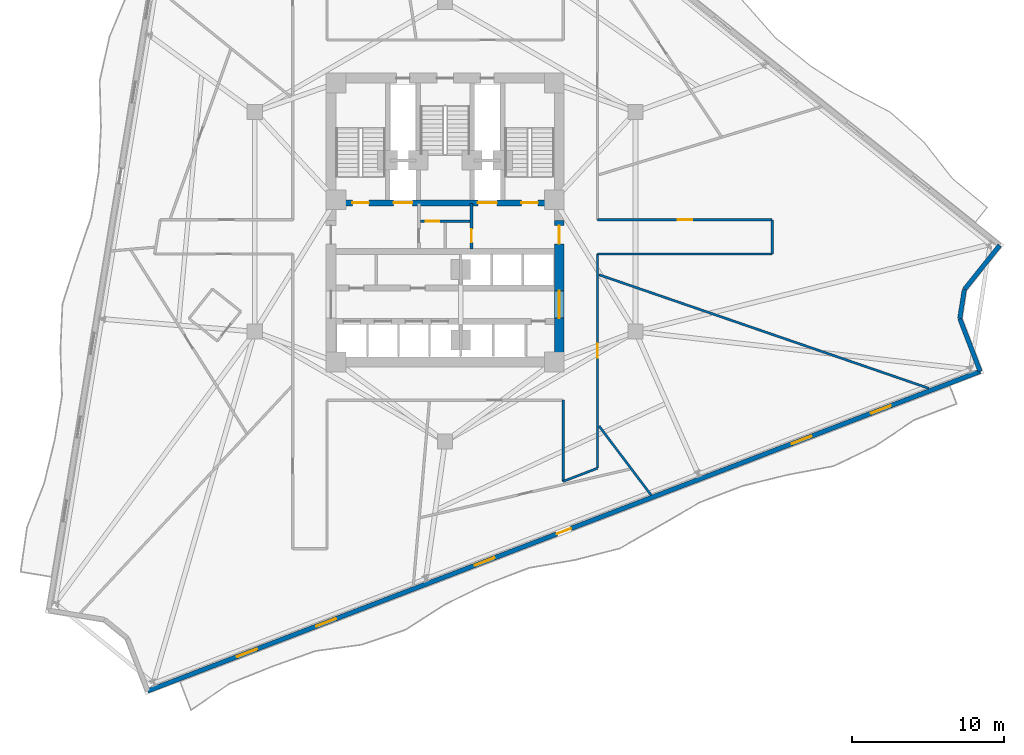
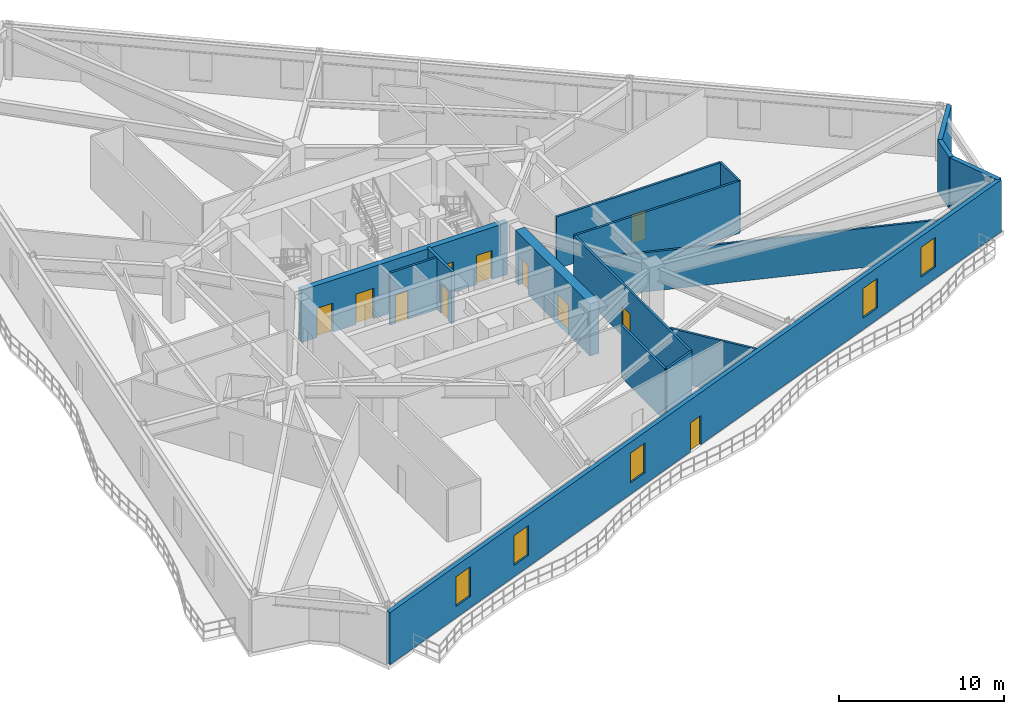
# One storey, part 5 of 11: 16 walls, 11 doors, 5 windows, 16 openings.
"""IFC4 building model written with IfcOpenShell, lengths in metres."""

from ifc_helpers import new_model, si_unit, direction, frame, frame_2d, origin, place, context, subcontext, project, spatial, rectangle, extrude, material, layer, layer_set, type_object, element, fill, save


model = new_model("IFC4")

# Units and contexts
model_context = context("Model", 3, precision=1e-05, world=origin(), true_north=direction((0.0, 1.0)))
body_context = subcontext(model_context, "Body", "Model", "MODEL_VIEW")
ifc_project = project(units=[si_unit("LENGTHUNIT", "METRE"), si_unit("AREAUNIT", "SQUARE_METRE"), si_unit("VOLUMEUNIT", "CUBIC_METRE"), si_unit("PLANEANGLEUNIT", "RADIAN"), si_unit("MASSUNIT", "GRAM", prefix="KILO")], contexts=[model_context])

# Site, building, storey
site_placement = place(None, origin())
site = spatial("IfcSite", under=ifc_project, at=site_placement, CompositionType="ELEMENT")
building_placement = place(site_placement, origin())
building = spatial("IfcBuilding", under=site, at=building_placement, Name="Apsidion Concourse Tower", CompositionType="ELEMENT")
storey_placement = place(building_placement, frame((0.0, 0.0, 140.39990234375)))
storey = spatial("IfcBuildingStorey", under=building, at=storey_placement, Name="L32", CompositionType="ELEMENT", Elevation=140.39990234375)

# Walls
ifc_material_1 = material(Name="Precast concrete C40/50", Category="concrete")
ifc_layer_1 = layer(ifc_material_1, 0.300048828125)
ifc_layer_set_1 = layer_set([ifc_layer_1], Name="Precast concrete C40/50")
wall_type_1 = type_object("IfcWallType", Name="WL-EXT-300", PredefinedType="STANDARD", material=ifc_layer_set_1)
wall_1_placement = place(storey_placement, frame((36.58984375, -1.556640625, 0.0), z_axis=(0.0, 0.0, 1.0), x_axis=(-0.62493402561, -0.780677567012, 0.0)))
element("IfcWall", 1, at=wall_1_placement, inside=storey, type_object=wall_type_1, Name="L32 Precast Stone Facade Wall 02", PredefinedType="STANDARD", context=body_context, shape_type="SweptSolid", body=[
    extrude(rectangle(XDim=3.737060546875, YDim=0.300048828125, at=frame_2d((1.86865234375, 0.0))), origin(), (0.0, 0.0, 1.0), 3.85009765625),
])
wall_2_placement = place(storey_placement, frame((34.25439453125, -4.47412109375, 0.0), z_axis=(0.0, 0.0, 1.0), x_axis=(-0.153717968475, -0.988114763663, 0.0)))
element("IfcWall", 2, at=wall_2_placement, inside=storey, type_object=wall_type_1, Name="L32 Precast Stone Facade Wall 03", PredefinedType="STANDARD", context=body_context, shape_type="SweptSolid", body=[
    extrude(rectangle(XDim=1.932861328125, YDim=0.300048828125, at=frame_2d((0.96630859375, 0.0))), origin(), (0.0, 0.0, 1.0), 3.85009765625),
])
wall_3_placement = place(storey_placement, frame((33.957275390625, -6.384033203125, 0.0), z_axis=(0.0, 0.0, 1.0), x_axis=(0.358344201462, -0.933589542186, 0.0)))
element("IfcWall", 3, at=wall_3_placement, inside=storey, type_object=wall_type_1, Name="L32 Precast Stone Facade Wall 04", PredefinedType="STANDARD", context=body_context, shape_type="SweptSolid", body=[
    extrude(rectangle(XDim=3.737060546875, YDim=0.300048828125, at=frame_2d((1.86865234375, 0.0))), origin(), (0.0, 0.0, 1.0), 3.85009765625),
])

# Wall, openings, door, windows
wall_4_placement = place(storey_placement, frame((35.29638671875, -9.872802734375, 0.0), z_axis=(0.0, 0.0, 1.0), x_axis=(-0.933580612554, -0.35836746485, 0.0)))
wall_4 = element("IfcWall", 4, at=wall_4_placement, inside=storey, type_object=wall_type_1, Name="L32 Precast Stone Facade Wall 05", PredefinedType="STANDARD", context=body_context, shape_type="SweptSolid", body=[
    extrude(rectangle(XDim=58.827880859375, YDim=0.300048828125, at=frame_2d((29.4140625, 0.0))), origin(), (0.0, 0.0, 1.0), 3.85009765625),
])
opening_1_placement = place(wall_4_placement, frame((28.9140625, 0.0, 0.0)))
opening_1 = element("IfcOpeningElement", 5, at=opening_1_placement, cuts=wall_4, Name="Opening D-T1R", PredefinedType="OPENING", context=body_context, shape_type="SweptSolid", body=[
    extrude(rectangle(XDim=1.0, YDim=2.14990234375, at=frame_2d((0.5, 1.074951171875))), frame((0.0, 0.16015625, 0.0), z_axis=(0.0, -1.0, 0.0), x_axis=(1.0, 0.0, 0.0)), (0.0, 0.0, 1.0), 0.320068359375),
])
opening_2_placement = place(wall_4_placement, frame((6.31396484375, 0.0, 0.85009765625)))
opening_2 = element("IfcOpeningElement", 6, at=opening_2_placement, cuts=wall_4, Name="Opening WN-05", PredefinedType="OPENING", context=body_context, shape_type="SweptSolid", body=[
    extrude(rectangle(XDim=1.39990234375, YDim=2.199951171875, at=frame_2d((0.699951171875, 1.10009765625))), frame((0.0, 0.16015625, 0.0), z_axis=(0.0, -1.0, 0.0), x_axis=(1.0, 0.0, 0.0)), (0.0, 0.0, 1.0), 0.320068359375),
])
opening_3_placement = place(wall_4_placement, frame((11.9140625, 0.0, 0.85009765625)))
opening_3 = element("IfcOpeningElement", 7, at=opening_3_placement, cuts=wall_4, Name="Opening WN-05", PredefinedType="OPENING", context=body_context, shape_type="SweptSolid", body=[
    extrude(rectangle(XDim=1.39990234375, YDim=2.199951171875, at=frame_2d((0.699951171875, 1.10009765625))), frame((0.0, 0.16015625, 0.0), z_axis=(0.0, -1.0, 0.0), x_axis=(1.0, 0.0, 0.0)), (0.0, 0.0, 1.0), 0.320068359375),
])
opening_4_placement = place(wall_4_placement, frame((34.31396484375, 0.0, 0.85009765625)))
opening_4 = element("IfcOpeningElement", 8, at=opening_4_placement, cuts=wall_4, Name="Opening WN-05", PredefinedType="OPENING", context=body_context, shape_type="SweptSolid", body=[
    extrude(rectangle(XDim=1.39990234375, YDim=2.199951171875, at=frame_2d((0.699951171875, 1.10009765625))), frame((0.0, 0.16015625, 0.0), z_axis=(0.0, -1.0, 0.0), x_axis=(1.0, 0.0, 0.0)), (0.0, 0.0, 1.0), 0.320068359375),
])
opening_5_placement = place(wall_4_placement, frame((45.513916015625, 0.0, 0.85009765625)))
opening_5 = element("IfcOpeningElement", 9, at=opening_5_placement, cuts=wall_4, Name="Opening WN-05", PredefinedType="OPENING", context=body_context, shape_type="SweptSolid", body=[
    extrude(rectangle(XDim=1.39990234375, YDim=2.199951171875, at=frame_2d((0.699951171875, 1.10009765625))), frame((0.0, 0.16015625, 0.0), z_axis=(0.0, -1.0, 0.0), x_axis=(1.0, 0.0, 0.0)), (0.0, 0.0, 1.0), 0.320068359375),
])
opening_6_placement = place(wall_4_placement, frame((51.114013671875, 0.0, 0.85009765625)))
opening_6 = element("IfcOpeningElement", 10, at=opening_6_placement, cuts=wall_4, Name="Opening WN-05", PredefinedType="OPENING", context=body_context, shape_type="SweptSolid", body=[
    extrude(rectangle(XDim=1.39990234375, YDim=2.199951171875, at=frame_2d((0.699951171875, 1.10009765625))), frame((0.0, 0.16015625, 0.0), z_axis=(0.0, -1.0, 0.0), x_axis=(1.0, 0.0, 0.0)), (0.0, 0.0, 1.0), 0.320068359375),
])
ifc_material_2 = material(Name="Anodised aluminium EN AW-6063 T6", Category="aluminium")
door_type_1 = type_object("IfcDoorType", Name="DR-TER-1022R", OperationType="SINGLE_SWING_RIGHT", PredefinedType="DOOR", material=ifc_material_2)
door_1_placement = place(opening_1_placement, origin())
door_1 = element("IfcDoor", 11, at=door_1_placement, inside=storey, type_object=door_type_1, Name="L32 Balcony Access Door 2", OperationType="SINGLE_SWING_RIGHT", OverallHeight=2.14990234375, OverallWidth=1.0, PredefinedType="DOOR", context=body_context, shape_type="SweptSolid", body=[
    extrude(rectangle(XDim=1.0, YDim=2.14990234375, at=frame_2d((0.5, 1.074951171875))), frame((0.0, 0.02490234375, 0.0), z_axis=(0.0, -1.0, 0.0), x_axis=(1.0, 0.0, 0.0)), (0.0, 0.0, 1.0), 0.050048828125),
])
fill(opening_1, door_1)
ifc_material_3 = material(Name="Insulated laminated low-E glass", Category="glass")
window_type = type_object("IfcWindowType", Name="WN-OFF-1424", PartitioningType="SINGLE_PANEL", PredefinedType="WINDOW", material=ifc_material_3)
window_1_placement = place(opening_2_placement, origin())
window_1 = element("IfcWindow", 12, at=window_1_placement, inside=storey, type_object=window_type, Name="L32 Punched Facade Window 5-01", OverallHeight=2.199951171875, OverallWidth=1.39990234375, PartitioningType="SINGLE_PANEL", PredefinedType="WINDOW", context=body_context, shape_type="SweptSolid", body=[
    extrude(rectangle(XDim=1.39990234375, YDim=2.199951171875, at=frame_2d((0.699951171875, 1.10009765625))), frame((0.0, 0.030029296875, 0.0), z_axis=(0.0, -1.0, 0.0), x_axis=(1.0, 0.0, 0.0)), (0.0, 0.0, 1.0), 0.06005859375),
])
fill(opening_2, window_1)
window_2_placement = place(opening_3_placement, origin())
window_2 = element("IfcWindow", 13, at=window_2_placement, inside=storey, type_object=window_type, Name="L32 Punched Facade Window 5-02", OverallHeight=2.199951171875, OverallWidth=1.39990234375, PartitioningType="SINGLE_PANEL", PredefinedType="WINDOW", context=body_context, shape_type="SweptSolid", body=[
    extrude(rectangle(XDim=1.39990234375, YDim=2.199951171875, at=frame_2d((0.699951171875, 1.10009765625))), frame((0.0, 0.030029296875, 0.0), z_axis=(0.0, -1.0, 0.0), x_axis=(1.0, 0.0, 0.0)), (0.0, 0.0, 1.0), 0.06005859375),
])
fill(opening_3, window_2)
window_3_placement = place(opening_4_placement, origin())
window_3 = element("IfcWindow", 14, at=window_3_placement, inside=storey, type_object=window_type, Name="L32 Punched Facade Window 5-06", OverallHeight=2.199951171875, OverallWidth=1.39990234375, PartitioningType="SINGLE_PANEL", PredefinedType="WINDOW", context=body_context, shape_type="SweptSolid", body=[
    extrude(rectangle(XDim=1.39990234375, YDim=2.199951171875, at=frame_2d((0.699951171875, 1.10009765625))), frame((0.0, 0.030029296875, 0.0), z_axis=(0.0, -1.0, 0.0), x_axis=(1.0, 0.0, 0.0)), (0.0, 0.0, 1.0), 0.06005859375),
])
fill(opening_4, window_3)
window_4_placement = place(opening_5_placement, origin())
window_4 = element("IfcWindow", 15, at=window_4_placement, inside=storey, type_object=window_type, Name="L32 Punched Facade Window 5-08", OverallHeight=2.199951171875, OverallWidth=1.39990234375, PartitioningType="SINGLE_PANEL", PredefinedType="WINDOW", context=body_context, shape_type="SweptSolid", body=[
    extrude(rectangle(XDim=1.39990234375, YDim=2.199951171875, at=frame_2d((0.699951171875, 1.10009765625))), frame((0.0, 0.030029296875, 0.0), z_axis=(0.0, -1.0, 0.0), x_axis=(1.0, 0.0, 0.0)), (0.0, 0.0, 1.0), 0.06005859375),
])
fill(opening_5, window_4)
window_5_placement = place(opening_6_placement, origin())
window_5 = element("IfcWindow", 16, at=window_5_placement, inside=storey, type_object=window_type, Name="L32 Punched Facade Window 5-09", OverallHeight=2.199951171875, OverallWidth=1.39990234375, PartitioningType="SINGLE_PANEL", PredefinedType="WINDOW", context=body_context, shape_type="SweptSolid", body=[
    extrude(rectangle(XDim=1.39990234375, YDim=2.199951171875, at=frame_2d((0.699951171875, 1.10009765625))), frame((0.0, 0.030029296875, 0.0), z_axis=(0.0, -1.0, 0.0), x_axis=(1.0, 0.0, 0.0)), (0.0, 0.0, 1.0), 0.06005859375),
])
fill(opening_6, window_5)

# Wall, opening, door
ifc_material_4 = material(Name="Gypsum plasterboard partition")
ifc_layer_2 = layer(ifc_material_4, 0.14990234375)
ifc_layer_set_2 = layer_set([ifc_layer_2], Name="Gypsum plasterboard partition")
wall_type_2 = type_object("IfcWallType", Name="WL-INT-PAR-150", PredefinedType="PARTITIONING", material=ifc_layer_set_2)
wall_5_placement = place(storey_placement, frame((-1.639892578125, 0.0400390625, 0.0), z_axis=(0.0, 0.0, 1.0), x_axis=(1.0, 0.0, 0.0)))
wall_5 = element("IfcWall", 17, at=wall_5_placement, inside=storey, type_object=wall_type_2, Name="L32 Interior Partition WL-L32-K4H", PredefinedType="PARTITIONING", context=body_context, shape_type="SweptSolid", body=[
    extrude(rectangle(XDim=3.27978515625, YDim=0.14990234375, at=frame_2d((1.639892578125, 0.0))), origin(), (0.0, 0.0, 1.0), 3.85009765625),
])
opening_7_placement = place(wall_5_placement, frame((0.360107421875, 0.0, 0.0)))
opening_7 = element("IfcOpeningElement", 18, at=opening_7_placement, cuts=wall_5, Name="Opening D-03L", PredefinedType="OPENING", context=body_context, shape_type="SweptSolid", body=[
    extrude(rectangle(XDim=0.8798828125, YDim=2.10009765625, at=frame_2d((0.43994140625, 1.050048828125))), frame((0.0, 0.0849609375, 0.0), z_axis=(0.0, -1.0, 0.0), x_axis=(1.0, 0.0, 0.0)), (0.0, 0.0, 1.0), 0.169921875),
])
door_type_2 = type_object("IfcDoorType", Name="DR-INT-D03L", OperationType="SINGLE_SWING_LEFT", PredefinedType="DOOR", material=ifc_material_2)
door_2_placement = place(opening_7_placement, origin())
door_2 = element("IfcDoor", 19, at=door_2_placement, inside=storey, type_object=door_type_2, Name="L32 Core Telecoms Door", OperationType="SINGLE_SWING_LEFT", OverallHeight=2.10009765625, OverallWidth=0.8798828125, PredefinedType="DOOR", context=body_context, shape_type="SweptSolid", body=[
    extrude(rectangle(XDim=0.8798828125, YDim=2.10009765625, at=frame_2d((0.43994140625, 1.050048828125))), frame((0.0, 0.02490234375, 0.0), z_axis=(0.0, -1.0, 0.0), x_axis=(1.0, 0.0, 0.0)), (0.0, 0.0, 1.0), 0.050048828125),
])
fill(opening_7, door_2)

# Walls
wall_6_placement = place(storey_placement, frame((10.050048828125, -16.259521484375, 0.0), z_axis=(0.0, 0.0, 1.0), x_axis=(-0.933561171802, -0.358418105713, 0.0)))
element("IfcWall", 20, at=wall_6_placement, inside=storey, type_object=wall_type_2, Name="L32 Interior Partition WL-L32-CORR-01", PredefinedType="PARTITIONING", context=body_context, shape_type="SweptSolid", body=[
    extrude(rectangle(XDim=2.4208984375, YDim=0.14990234375, at=frame_2d((1.21044921875, 0.0))), origin(), (0.0, 0.0, 1.0), 3.85009765625),
])
wall_7_placement = place(storey_placement, frame((7.7900390625, -17.127197265625, 0.0), z_axis=(0.0, 0.0, 1.0), x_axis=(0.0, 1.0, 0.0)))
element("IfcWall", 21, at=wall_7_placement, inside=storey, type_object=wall_type_2, Name="L32 Interior Partition WL-L32-CORR-02", PredefinedType="PARTITIONING", context=body_context, shape_type="SweptSolid", body=[
    extrude(rectangle(XDim=5.352294921875, YDim=0.14990234375, at=frame_2d((2.67626953125, 0.0))), origin(), (0.0, 0.0, 1.0), 3.85009765625),
])

# Wall, opening, door
wall_8_placement = place(storey_placement, frame((10.050048828125, 0.1298828125, 0.0), z_axis=(0.0, 0.0, 1.0), x_axis=(1.0, 0.0, 0.0)))
wall_8 = element("IfcWall", 22, at=wall_8_placement, inside=storey, type_object=wall_type_2, Name="L32 Interior Partition WL-L32-CORR-17", PredefinedType="PARTITIONING", context=body_context, shape_type="SweptSolid", body=[
    extrude(rectangle(XDim=11.530029296875, YDim=0.14990234375, at=frame_2d((5.76513671875, 0.0))), origin(), (0.0, 0.0, 1.0), 3.85009765625),
])
opening_8_placement = place(wall_8_placement, frame((5.2900390625, 0.0, 0.0)))
opening_8 = element("IfcOpeningElement", 23, at=opening_8_placement, cuts=wall_8, Name="Opening D-01L", PredefinedType="OPENING", context=body_context, shape_type="SweptSolid", body=[
    extrude(rectangle(XDim=0.949951171875, YDim=2.14990234375, at=frame_2d((0.47509765625, 1.074951171875))), frame((0.0, 0.0849609375, 0.0), z_axis=(0.0, -1.0, 0.0), x_axis=(1.0, 0.0, 0.0)), (0.0, 0.0, 1.0), 0.169921875),
])
ifc_material_5 = material(Name="Brushed stainless steel 316", Category="steel")
door_type_3 = type_object("IfcDoorType", Name="DR-INT-D01L", OperationType="SINGLE_SWING_LEFT", PredefinedType="DOOR", material=ifc_material_5)
door_3_placement = place(opening_8_placement, origin())
door_3 = element("IfcDoor", 24, at=door_3_placement, inside=storey, type_object=door_type_3, Name="L32 Corridor Entry Door 05", OperationType="SINGLE_SWING_LEFT", OverallHeight=2.14990234375, OverallWidth=0.949951171875, PredefinedType="DOOR", context=body_context, shape_type="SweptSolid", body=[
    extrude(rectangle(XDim=0.949951171875, YDim=2.14990234375, at=frame_2d((0.47509765625, 1.074951171875))), frame((0.0, 0.02490234375, 0.0), z_axis=(0.0, -1.0, 0.0), x_axis=(1.0, 0.0, 0.0)), (0.0, 0.0, 1.0), 0.050048828125),
])
fill(opening_8, door_3)

# Walls
wall_9_placement = place(storey_placement, frame((21.580078125, 0.1298828125, 0.0), z_axis=(0.0, 0.0, 1.0), x_axis=(0.0, -1.0, 0.0)))
element("IfcWall", 25, at=wall_9_placement, inside=storey, type_object=wall_type_2, Name="L32 Interior Partition WL-L32-CORR-18", PredefinedType="PARTITIONING", context=body_context, shape_type="SweptSolid", body=[
    extrude(rectangle(XDim=2.259765625, YDim=0.14990234375, at=frame_2d((1.1298828125, 0.0))), origin(), (0.0, 0.0, 1.0), 3.85009765625),
])
wall_10_placement = place(storey_placement, frame((21.580078125, -2.1298828125, 0.0), z_axis=(0.0, 0.0, 1.0), x_axis=(-1.0, 0.0, 0.0)))
element("IfcWall", 26, at=wall_10_placement, inside=storey, type_object=wall_type_2, Name="L32 Interior Partition WL-L32-CORR-19", PredefinedType="PARTITIONING", context=body_context, shape_type="SweptSolid", body=[
    extrude(rectangle(XDim=11.530029296875, YDim=0.14990234375, at=frame_2d((5.76513671875, 0.0))), origin(), (0.0, 0.0, 1.0), 3.85009765625),
])

# Wall, opening, door
wall_11_placement = place(storey_placement, frame((10.050048828125, -2.1298828125, 0.0), z_axis=(0.0, 0.0, 1.0), x_axis=(0.0, -1.0, 0.0)))
wall_11 = element("IfcWall", 27, at=wall_11_placement, inside=storey, type_object=wall_type_2, Name="L32 Interior Partition WL-L32-CORR-20", PredefinedType="PARTITIONING", context=body_context, shape_type="SweptSolid", body=[
    extrude(rectangle(XDim=14.129638671875, YDim=0.14990234375, at=frame_2d((7.06494140625, 0.0))), origin(), (0.0, 0.0, 1.0), 3.85009765625),
])
opening_9_placement = place(wall_11_placement, frame((5.901611328125, 0.0, 0.0)))
opening_9 = element("IfcOpeningElement", 28, at=opening_9_placement, cuts=wall_11, Name="Opening D-01R", PredefinedType="OPENING", context=body_context, shape_type="SweptSolid", body=[
    extrude(rectangle(XDim=0.949951171875, YDim=2.14990234375, at=frame_2d((0.47509765625, 1.074951171875))), frame((0.0, 0.0849609375, 0.0), z_axis=(0.0, -1.0, 0.0), x_axis=(1.0, 0.0, 0.0)), (0.0, 0.0, 1.0), 0.169921875),
])
door_type_4 = type_object("IfcDoorType", Name="DR-INT-D01R", OperationType="SINGLE_SWING_RIGHT", PredefinedType="DOOR", material=ifc_material_5)
door_4_placement = place(opening_9_placement, origin())
door_4 = element("IfcDoor", 29, at=door_4_placement, inside=storey, type_object=door_type_4, Name="L32 Corridor Entry Door 04", OperationType="SINGLE_SWING_RIGHT", OverallHeight=2.14990234375, OverallWidth=0.949951171875, PredefinedType="DOOR", context=body_context, shape_type="SweptSolid", body=[
    extrude(rectangle(XDim=0.949951171875, YDim=2.14990234375, at=frame_2d((0.47509765625, 1.074951171875))), frame((0.0, 0.02490234375, 0.0), z_axis=(0.0, -1.0, 0.0), x_axis=(1.0, 0.0, 0.0)), (0.0, 0.0, 1.0), 0.050048828125),
])
fill(opening_9, door_4)

# Walls
wall_12_placement = place(storey_placement, frame((10.155029296875, -13.47607421875, 0.0), z_axis=(0.0, 0.0, 1.0), x_axis=(0.601807099294, -0.798641481041, 0.0)))
element("IfcWall", 30, at=wall_12_placement, inside=storey, type_object=wall_type_2, Name="L32 Interior Partition WL-L32-RAD-08-1", PredefinedType="PARTITIONING", context=body_context, shape_type="SweptSolid", body=[
    extrude(rectangle(XDim=5.701904296875, YDim=0.14990234375, at=frame_2d((2.85107421875, 0.0))), origin(), (0.0, 0.0, 1.0), 3.85009765625),
])
wall_13_placement = place(storey_placement, frame((10.155029296875, -3.49658203125, 0.0), z_axis=(0.0, 0.0, 1.0), x_axis=(0.945516019474, -0.325575577889, 0.0)))
element("IfcWall", 31, at=wall_13_placement, inside=storey, type_object=wall_type_2, Name="L32 Interior Partition WL-L32-RAD-09-1", PredefinedType="PARTITIONING", context=body_context, shape_type="SweptSolid", body=[
    extrude(rectangle(XDim=23.021240234375, YDim=0.14990234375, at=frame_2d((11.5107421875, 0.0))), origin(), (0.0, 0.0, 1.0), 2.898193359375),
])

# Wall, opening, door
ifc_layer_3 = layer(ifc_material_4, 0.199951171875)
ifc_layer_set_3 = layer_set([ifc_layer_3], Name="Gypsum plasterboard partition")
wall_type_3 = type_object("IfcWallType", Name="WL-INT-PAR-200", PredefinedType="PARTITIONING", material=ifc_layer_set_3)
wall_14_placement = place(storey_placement, frame((1.739990234375, -1.780029296875, 0.0), z_axis=(0.0, 0.0, 1.0), x_axis=(0.0, 1.0, 0.0)))
wall_14 = element("IfcWall", 32, at=wall_14_placement, inside=storey, type_object=wall_type_3, Name="L32 Interior Partition WL-L32-FF2-W", PredefinedType="PARTITIONING", context=body_context, shape_type="SweptSolid", body=[
    extrude(rectangle(XDim=2.97998046875, YDim=0.199951171875, at=frame_2d((1.489990234375, 0.0))), origin(), (0.0, 0.0, 1.0), 3.85009765625),
])
opening_10_placement = place(wall_14_placement, frame((0.419921875, 0.0, 0.0)))
opening_10 = element("IfcOpeningElement", 33, at=opening_10_placement, cuts=wall_14, Name="Opening D-05L", PredefinedType="OPENING", context=body_context, shape_type="SweptSolid", body=[
    extrude(rectangle(XDim=0.8798828125, YDim=2.14990234375, at=frame_2d((0.43994140625, 1.074951171875))), frame((0.0, 0.10986328125, 0.0), z_axis=(0.0, -1.0, 0.0), x_axis=(1.0, 0.0, 0.0)), (0.0, 0.0, 1.0), 0.219970703125),
])
door_type_5 = type_object("IfcDoorType", Name="DR-INT-D05L", OperationType="SINGLE_SWING_LEFT", PredefinedType="DOOR", material=ifc_material_5)
door_5_placement = place(opening_10_placement, origin())
door_5 = element("IfcDoor", 34, at=door_5_placement, inside=storey, type_object=door_type_5, Name="L32 Core First Aid Door", OperationType="SINGLE_SWING_LEFT", OverallHeight=2.14990234375, OverallWidth=0.8798828125, PredefinedType="DOOR", context=body_context, shape_type="SweptSolid", body=[
    extrude(rectangle(XDim=0.8798828125, YDim=2.14990234375, at=frame_2d((0.43994140625, 1.074951171875))), frame((0.0, 0.02490234375, 0.0), z_axis=(0.0, -1.0, 0.0), x_axis=(1.0, 0.0, 0.0)), (0.0, 0.0, 1.0), 0.050048828125),
])
fill(opening_10, door_5)

# Wall, openings, doors
ifc_material_6 = material(Name="Concrete C50/60", Category="concrete")
ifc_layer_4 = layer(ifc_material_6, 0.39990234375)
ifc_layer_set_4 = layer_set([ifc_layer_4], Name="Concrete C50/60")
wall_type_4 = type_object("IfcWallType", Name="WL-SH-400", PredefinedType="SHEAR", material=ifc_layer_set_4)
wall_15_placement = place(storey_placement, frame((-7.199951171875, 1.25, 0.0), z_axis=(0.0, 0.0, 1.0), x_axis=(1.0, 0.0, 0.0)))
wall_15 = element("IfcWall", 35, at=wall_15_placement, inside=storey, type_object=wall_type_4, Name="L32 Central Core Shear Wall M1", PredefinedType="SHEAR", context=body_context, shape_type="SweptSolid", body=[
    extrude(rectangle(XDim=14.39990234375, YDim=0.39990234375, at=frame_2d((7.199951171875, 0.0))), origin(), (0.0, 0.0, 1.0), 3.85009765625),
])
opening_11_placement = place(wall_15_placement, frame((3.794921875, 0.0, 0.0)))
opening_11 = element("IfcOpeningElement", 36, at=opening_11_placement, cuts=wall_15, Name="Opening LD-FF", PredefinedType="OPENING", context=body_context, shape_type="SweptSolid", body=[
    extrude(rectangle(XDim=1.25, YDim=2.25, at=frame_2d((0.625, 1.125))), frame((0.0, 0.2099609375, 0.0), z_axis=(0.0, -1.0, 0.0), x_axis=(1.0, 0.0, 0.0)), (0.0, 0.0, 1.0), 0.419921875),
])
opening_12_placement = place(wall_15_placement, frame((9.35498046875, 0.0, 0.0)))
opening_12 = element("IfcOpeningElement", 37, at=opening_12_placement, cuts=wall_15, Name="Opening LD-FF", PredefinedType="OPENING", context=body_context, shape_type="SweptSolid", body=[
    extrude(rectangle(XDim=1.25, YDim=2.25, at=frame_2d((0.625, 1.125))), frame((0.0, 0.2099609375, 0.0), z_axis=(0.0, -1.0, 0.0), x_axis=(1.0, 0.0, 0.0)), (0.0, 0.0, 1.0), 0.419921875),
])
opening_13_placement = place(wall_15_placement, frame((1.074951171875, 0.0, 0.0)))
opening_13 = element("IfcOpeningElement", 38, at=opening_13_placement, cuts=wall_15, Name="Opening D-STL", PredefinedType="OPENING", context=body_context, shape_type="SweptSolid", body=[
    extrude(rectangle(XDim=1.10009765625, YDim=2.14990234375, at=frame_2d((0.550048828125, 1.074951171875))), frame((0.0, 0.2099609375, 0.0), z_axis=(0.0, -1.0, 0.0), x_axis=(1.0, 0.0, 0.0)), (0.0, 0.0, 1.0), 0.419921875),
])
opening_14_placement = place(wall_15_placement, frame((12.22509765625, 0.0, 0.0)))
opening_14 = element("IfcOpeningElement", 39, at=opening_14_placement, cuts=wall_15, Name="Opening D-STR", PredefinedType="OPENING", context=body_context, shape_type="SweptSolid", body=[
    extrude(rectangle(XDim=1.10009765625, YDim=2.14990234375, at=frame_2d((0.550048828125, 1.074951171875))), frame((0.0, 0.2099609375, 0.0), z_axis=(0.0, -1.0, 0.0), x_axis=(1.0, 0.0, 0.0)), (0.0, 0.0, 1.0), 0.419921875),
])
door_type_6 = type_object("IfcDoorType", Name="DR-INT-ST1L", OperationType="SINGLE_SWING_LEFT", PredefinedType="DOOR", material=ifc_material_5)
door_6_placement = place(opening_13_placement, origin())
door_6 = element("IfcDoor", 40, at=door_6_placement, inside=storey, type_object=door_type_6, Name="L32 Core Exit Stair ST1 Door", OperationType="SINGLE_SWING_LEFT", OverallHeight=2.14990234375, OverallWidth=1.10009765625, PredefinedType="DOOR", context=body_context, shape_type="SweptSolid", body=[
    extrude(rectangle(XDim=1.10009765625, YDim=2.14990234375, at=frame_2d((0.550048828125, 1.074951171875))), frame((0.0, 0.02490234375, 0.0), z_axis=(0.0, -1.0, 0.0), x_axis=(1.0, 0.0, 0.0)), (0.0, 0.0, 1.0), 0.050048828125),
])
fill(opening_13, door_6)
door_type_7 = type_object("IfcDoorType", Name="DR-INT-ST1R", OperationType="SINGLE_SWING_RIGHT", PredefinedType="DOOR", material=ifc_material_5)
door_7_placement = place(opening_14_placement, origin())
door_7 = element("IfcDoor", 41, at=door_7_placement, inside=storey, type_object=door_type_7, Name="L32 Core Exit Stair ST2 Door", OperationType="SINGLE_SWING_RIGHT", OverallHeight=2.14990234375, OverallWidth=1.10009765625, PredefinedType="DOOR", context=body_context, shape_type="SweptSolid", body=[
    extrude(rectangle(XDim=1.10009765625, YDim=2.14990234375, at=frame_2d((0.550048828125, 1.074951171875))), frame((0.0, 0.02490234375, 0.0), z_axis=(0.0, -1.0, 0.0), x_axis=(1.0, 0.0, 0.0)), (0.0, 0.0, 1.0), 0.050048828125),
])
fill(opening_14, door_7)
door_type_8 = type_object("IfcDoorType", Name="DR-LD-FSAE", OperationType="DOUBLE_DOOR_SLIDING", PredefinedType="DOOR", material=ifc_material_5)
door_8_placement = place(opening_11_placement, origin())
door_8 = element("IfcDoor", 42, at=door_8_placement, inside=storey, type_object=door_type_8, Name="L32 Lift Landing Door FF1", OperationType="DOUBLE_DOOR_SLIDING", OverallHeight=2.25, OverallWidth=1.25, PredefinedType="DOOR", context=body_context, shape_type="SweptSolid", body=[
    extrude(rectangle(XDim=1.25, YDim=2.25, at=frame_2d((0.625, 1.125))), frame((0.0, 0.02490234375, 0.0), z_axis=(0.0, -1.0, 0.0), x_axis=(1.0, 0.0, 0.0)), (0.0, 0.0, 1.0), 0.050048828125),
])
fill(opening_11, door_8)
door_9_placement = place(opening_12_placement, origin())
door_9 = element("IfcDoor", 43, at=door_9_placement, inside=storey, type_object=door_type_8, Name="L32 Lift Landing Door FF2", OperationType="DOUBLE_DOOR_SLIDING", OverallHeight=2.25, OverallWidth=1.25, PredefinedType="DOOR", context=body_context, shape_type="SweptSolid", body=[
    extrude(rectangle(XDim=1.25, YDim=2.25, at=frame_2d((0.625, 1.125))), frame((0.0, 0.02490234375, 0.0), z_axis=(0.0, -1.0, 0.0), x_axis=(1.0, 0.0, 0.0)), (0.0, 0.0, 1.0), 0.050048828125),
])
fill(opening_12, door_9)

ifc_layer_5 = layer(ifc_material_6, 0.64990234375)
ifc_layer_set_5 = layer_set([ifc_layer_5], Name="Concrete C50/60")
wall_type_5 = type_object("IfcWallType", Name="WL-SH-650", PredefinedType="SHEAR", material=ifc_layer_set_5)
wall_16_placement = place(storey_placement, frame((7.52490234375, -8.925048828125, 0.0), z_axis=(0.0, 0.0, 1.0), x_axis=(0.0, 1.0, 0.0)))
wall_16 = element("IfcWall", 44, at=wall_16_placement, inside=storey, type_object=wall_type_5, Name="L32 Central Core Shear Wall ES", PredefinedType="SHEAR", context=body_context, shape_type="SweptSolid", body=[
    extrude(rectangle(XDim=9.025146484375, YDim=0.64990234375, at=frame_2d((4.5126953125, 0.0))), origin(), (0.0, 0.0, 1.0), 3.85009765625),
])
opening_15_placement = place(wall_16_placement, frame((2.56494140625, 0.0, 0.0)))
opening_15 = element("IfcOpeningElement", 45, at=opening_15_placement, cuts=wall_16, Name="Opening D-06D", PredefinedType="OPENING", context=body_context, shape_type="SweptSolid", body=[
    extrude(rectangle(XDim=1.800048828125, YDim=2.199951171875, at=frame_2d((0.89990234375, 1.10009765625))), frame((0.0, 0.3349609375, 0.0), z_axis=(0.0, -1.0, 0.0), x_axis=(1.0, 0.0, 0.0)), (0.0, 0.0, 1.0), 0.669921875),
])
opening_16_placement = place(wall_16_placement, frame((7.47509765625, 0.0, 0.0)))
opening_16 = element("IfcOpeningElement", 46, at=opening_16_placement, cuts=wall_16, Name="Opening D-FFR", PredefinedType="OPENING", context=body_context, shape_type="SweptSolid", body=[
    extrude(rectangle(XDim=1.199951171875, YDim=2.14990234375, at=frame_2d((0.60009765625, 1.074951171875))), frame((0.0, 0.3349609375, 0.0), z_axis=(0.0, -1.0, 0.0), x_axis=(1.0, 0.0, 0.0)), (0.0, 0.0, 1.0), 0.669921875),
])
door_type_9 = type_object("IfcDoorType", Name="DR-INT-D06D", OperationType="DOUBLE_DOOR_SINGLE_SWING", PredefinedType="DOOR", material=ifc_material_5)
door_10_placement = place(opening_15_placement, origin())
door_10 = element("IfcDoor", 47, at=door_10_placement, inside=storey, type_object=door_type_9, Name="L32 Passenger Lift Lobby ES Portal Door", OperationType="DOUBLE_DOOR_SINGLE_SWING", OverallHeight=2.199951171875, OverallWidth=1.800048828125, PredefinedType="DOOR", context=body_context, shape_type="SweptSolid", body=[
    extrude(rectangle(XDim=1.800048828125, YDim=2.199951171875, at=frame_2d((0.89990234375, 1.10009765625))), frame((0.0, 0.02490234375, 0.0), z_axis=(0.0, -1.0, 0.0), x_axis=(1.0, 0.0, 0.0)), (0.0, 0.0, 1.0), 0.050048828125),
])
fill(opening_15, door_10)
door_type_10 = type_object("IfcDoorType", Name="DR-INT-FFR", OperationType="SINGLE_SWING_RIGHT", PredefinedType="DOOR", material=ifc_material_5)
door_11_placement = place(opening_16_placement, origin())
door_11 = element("IfcDoor", 48, at=door_11_placement, inside=storey, type_object=door_type_10, Name="L32 Firefighting Lift Lobby FF2 Door", OperationType="SINGLE_SWING_RIGHT", OverallHeight=2.14990234375, OverallWidth=1.199951171875, PredefinedType="DOOR", context=body_context, shape_type="SweptSolid", body=[
    extrude(rectangle(XDim=1.199951171875, YDim=2.14990234375, at=frame_2d((0.60009765625, 1.074951171875))), frame((0.0, 0.02490234375, 0.0), z_axis=(0.0, -1.0, 0.0), x_axis=(1.0, 0.0, 0.0)), (0.0, 0.0, 1.0), 0.050048828125),
])
fill(opening_16, door_11)

save(model, "model.ifc")
